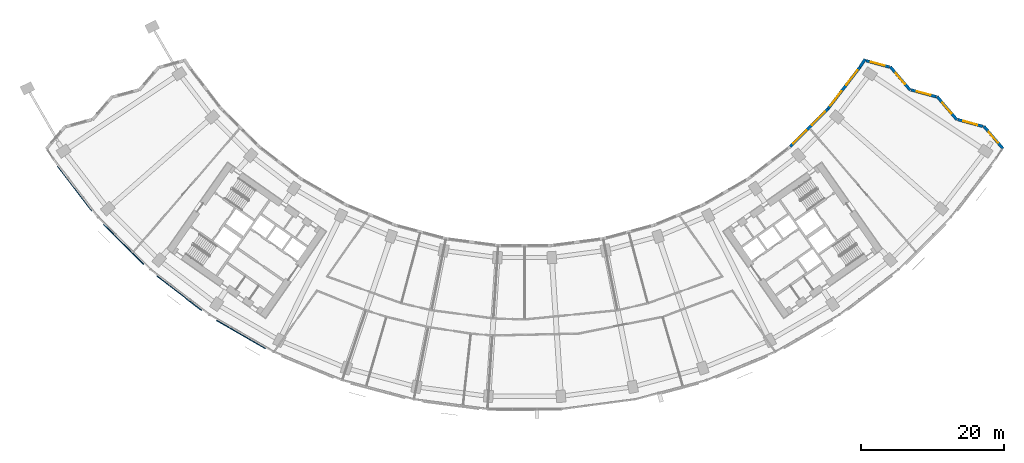
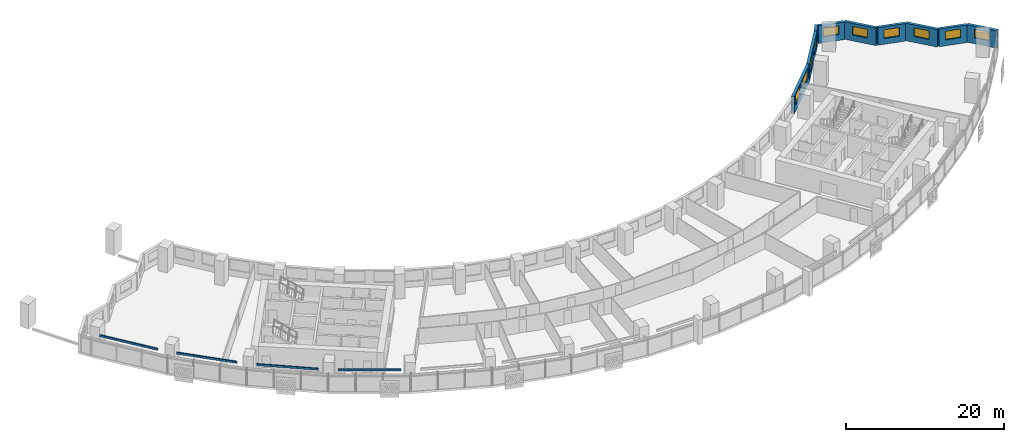
# One storey, part 8 of 29: 10 windows, 9 walls, 4 discrete accessories, 10 openings.
"""IFC4 building model written with IfcOpenShell, lengths in metres."""

from ifc_helpers import new_model, si_unit, direction, frame, frame_2d, origin, origin_2d, place, context, subcontext, project, spatial, rectangle, extrude, material, layer, layer_set, type_object, element, fill, save


model = new_model("IFC4")

# Units and contexts
model_context = context("Model", 3, precision=1e-05, world=origin(), true_north=direction((0.0, 1.0)))
body_context = subcontext(model_context, "Body", "Model", "MODEL_VIEW")
ifc_project = project(units=[si_unit("LENGTHUNIT", "METRE"), si_unit("AREAUNIT", "SQUARE_METRE"), si_unit("VOLUMEUNIT", "CUBIC_METRE"), si_unit("PLANEANGLEUNIT", "RADIAN"), si_unit("MASSUNIT", "GRAM", prefix="KILO")], contexts=[model_context])

# Site, building, storey
site_placement = place(None, origin())
site = spatial("IfcSite", under=ifc_project, at=site_placement, CompositionType="ELEMENT")
building_placement = place(site_placement, origin())
building = spatial("IfcBuilding", under=site, at=building_placement, Name="Qamariyya Broadcast Tower", CompositionType="ELEMENT")
storey_placement = place(building_placement, frame((0.0, 0.0, 44.300048828125)))
storey = spatial("IfcBuildingStorey", under=building, at=storey_placement, Name="L07", CompositionType="ELEMENT", Elevation=44.300048828125)

# Wall, opening, window
ifc_material_1 = material(Name="Terracotta", Category="masonry")
ifc_layer = layer(ifc_material_1, 0.39990234375)
ifc_layer_set = layer_set([ifc_layer], Name="Terracotta clad wall 400")
wall_type = type_object("IfcWallType", Name="Terracotta clad wall 400", PredefinedType="SOLIDWALL", material=ifc_layer_set)
wall_1_placement = place(storey_placement, frame((67.080810546875, -42.8359375, 0.0), z_axis=(0.0, 0.0, 1.0), x_axis=(-0.648720679067, 0.76102659648, 0.0)))
wall_1 = element("IfcWall", 1, at=wall_1_placement, inside=storey, type_object=wall_type, Name="e-wl-L07-capE0", PredefinedType="SOLIDWALL", context=body_context, shape_type="SweptSolid", body=[
    extrude(rectangle(XDim=4.12158203125, YDim=0.39990234375, at=frame_2d((2.060791015625, 0.0))), origin(), (0.0, 0.0, 1.0), 2.699951171875),
])
opening_1_placement = place(wall_1_placement, frame((1.060791015625, 0.0, 0.89990234375)))
opening_1 = element("IfcOpeningElement", 2, at=opening_1_placement, cuts=wall_1, Name="Opening W4", PredefinedType="OPENING", context=body_context, shape_type="SweptSolid", body=[
    extrude(rectangle(XDim=2.0, YDim=1.35009765625, at=frame_2d((1.0, 0.675048828125))), frame((0.0, 0.2099609375, 0.0), z_axis=(0.0, -1.0, 0.0), x_axis=(1.0, 0.0, 0.0)), (0.0, 0.0, 1.0), 0.419921875),
])
ifc_material_2 = material(Name="Clear low-e double glazed unit in aluminium frame", Category="aluminium")
window_type_1 = type_object("IfcWindowType", Name="Horn bay window 2000 x 1350", PartitioningType="SINGLE_PANEL", PredefinedType="WINDOW", material=ifc_material_2)
window_1_placement = place(opening_1_placement, origin())
window_1 = element("IfcWindow", 3, at=window_1_placement, inside=storey, type_object=window_type_1, Name="e-w-L07-capE0", OverallHeight=1.35009765625, OverallWidth=2.0, PartitioningType="SINGLE_PANEL", PredefinedType="WINDOW", context=body_context, shape_type="SweptSolid", body=[
    extrude(rectangle(XDim=2.0, YDim=1.35009765625, at=frame_2d((1.0, 0.675048828125))), frame((0.0, 0.030029296875, 0.0), z_axis=(0.0, -1.0, 0.0), x_axis=(1.0, 0.0, 0.0)), (0.0, 0.0, 1.0), 0.06005859375),
])
fill(opening_1, window_1)

wall_2_placement = place(storey_placement, frame((64.2822265625, -39.7294921875, 0.0), z_axis=(0.0, 0.0, 1.0), x_axis=(-0.96497196799, 0.262353008355, 0.0)))
wall_2 = element("IfcWall", 4, at=wall_2_placement, inside=storey, type_object=wall_type, Name="e-wl-L07-capE1", PredefinedType="SOLIDWALL", context=body_context, shape_type="SweptSolid", body=[
    extrude(rectangle(XDim=3.64892578125, YDim=0.39990234375, at=frame_2d((1.824462890625, 0.0))), origin(), (0.0, 0.0, 1.0), 2.699951171875),
])
opening_2_placement = place(wall_2_placement, frame((0.824462890625, 0.0, 0.89990234375)))
opening_2 = element("IfcOpeningElement", 5, at=opening_2_placement, cuts=wall_2, Name="Opening W4", PredefinedType="OPENING", context=body_context, shape_type="SweptSolid", body=[
    extrude(rectangle(XDim=2.0, YDim=1.35009765625, at=frame_2d((1.0, 0.675048828125))), frame((0.0, 0.2099609375, 0.0), z_axis=(0.0, -1.0, 0.0), x_axis=(1.0, 0.0, 0.0)), (0.0, 0.0, 1.0), 0.419921875),
])
window_2_placement = place(opening_2_placement, origin())
window_2 = element("IfcWindow", 6, at=window_2_placement, inside=storey, type_object=window_type_1, Name="e-w-L07-capE1", OverallHeight=1.35009765625, OverallWidth=2.0, PartitioningType="SINGLE_PANEL", PredefinedType="WINDOW", context=body_context, shape_type="SweptSolid", body=[
    extrude(rectangle(XDim=2.0, YDim=1.35009765625, at=frame_2d((1.0, 0.675048828125))), frame((0.0, 0.030029296875, 0.0), z_axis=(0.0, -1.0, 0.0), x_axis=(1.0, 0.0, 0.0)), (0.0, 0.0, 1.0), 0.06005859375),
])
fill(opening_2, window_2)

wall_3_placement = place(storey_placement, frame((60.636474609375, -38.802490234375, 0.0), z_axis=(0.0, 0.0, 1.0), x_axis=(-0.648766559736, 0.760987484107, 0.0)))
wall_3 = element("IfcWall", 7, at=wall_3_placement, inside=storey, type_object=wall_type, Name="e-wl-L07-capE2", PredefinedType="SOLIDWALL", context=body_context, shape_type="SweptSolid", body=[
    extrude(rectangle(XDim=4.29443359375, YDim=0.39990234375, at=frame_2d((2.147216796875, 0.0))), origin(), (0.0, 0.0, 1.0), 2.699951171875),
])
opening_3_placement = place(wall_3_placement, frame((1.147216796875, 0.0, 0.89990234375)))
opening_3 = element("IfcOpeningElement", 8, at=opening_3_placement, cuts=wall_3, Name="Opening W4", PredefinedType="OPENING", context=body_context, shape_type="SweptSolid", body=[
    extrude(rectangle(XDim=2.0, YDim=1.35009765625, at=frame_2d((1.0, 0.675048828125))), frame((0.0, 0.2099609375, 0.0), z_axis=(0.0, -1.0, 0.0), x_axis=(1.0, 0.0, 0.0)), (0.0, 0.0, 1.0), 0.419921875),
])
window_3_placement = place(opening_3_placement, origin())
window_3 = element("IfcWindow", 9, at=window_3_placement, inside=storey, type_object=window_type_1, Name="e-w-L07-capE2", OverallHeight=1.35009765625, OverallWidth=2.0, PartitioningType="SINGLE_PANEL", PredefinedType="WINDOW", context=body_context, shape_type="SweptSolid", body=[
    extrude(rectangle(XDim=2.0, YDim=1.35009765625, at=frame_2d((1.0, 0.675048828125))), frame((0.0, 0.030029296875, 0.0), z_axis=(0.0, -1.0, 0.0), x_axis=(1.0, 0.0, 0.0)), (0.0, 0.0, 1.0), 0.06005859375),
])
fill(opening_3, window_3)

wall_4_placement = place(storey_placement, frame((57.725341796875, -35.564697265625, 0.0), z_axis=(0.0, 0.0, 1.0), x_axis=(-0.964982822541, 0.262313080498, 0.0)))
wall_4 = element("IfcWall", 10, at=wall_4_placement, inside=storey, type_object=wall_type, Name="e-wl-L07-capE3", PredefinedType="SOLIDWALL", context=body_context, shape_type="SweptSolid", body=[
    extrude(rectangle(XDim=3.6474609375, YDim=0.39990234375, at=frame_2d((1.82373046875, 0.0))), origin(), (0.0, 0.0, 1.0), 2.699951171875),
])
opening_4_placement = place(wall_4_placement, frame((0.82373046875, 0.0, 0.89990234375)))
opening_4 = element("IfcOpeningElement", 11, at=opening_4_placement, cuts=wall_4, Name="Opening W4", PredefinedType="OPENING", context=body_context, shape_type="SweptSolid", body=[
    extrude(rectangle(XDim=2.0, YDim=1.35009765625, at=frame_2d((1.0, 0.675048828125))), frame((0.0, 0.2099609375, 0.0), z_axis=(0.0, -1.0, 0.0), x_axis=(1.0, 0.0, 0.0)), (0.0, 0.0, 1.0), 0.419921875),
])
window_4_placement = place(opening_4_placement, origin())
window_4 = element("IfcWindow", 12, at=window_4_placement, inside=storey, type_object=window_type_1, Name="e-w-L07-capE3", OverallHeight=1.35009765625, OverallWidth=2.0, PartitioningType="SINGLE_PANEL", PredefinedType="WINDOW", context=body_context, shape_type="SweptSolid", body=[
    extrude(rectangle(XDim=2.0, YDim=1.35009765625, at=frame_2d((1.0, 0.675048828125))), frame((0.0, 0.030029296875, 0.0), z_axis=(0.0, -1.0, 0.0), x_axis=(1.0, 0.0, 0.0)), (0.0, 0.0, 1.0), 0.06005859375),
])
fill(opening_4, window_4)

wall_5_placement = place(storey_placement, frame((54.08056640625, -34.63818359375, 0.0), z_axis=(0.0, 0.0, 1.0), x_axis=(-0.648846938805, 0.760918951008, 0.0)))
wall_5 = element("IfcWall", 13, at=wall_5_placement, inside=storey, type_object=wall_type, Name="e-wl-L07-capE4", PredefinedType="SOLIDWALL", context=body_context, shape_type="SweptSolid", body=[
    extrude(rectangle(XDim=4.2958984375, YDim=0.39990234375, at=frame_2d((2.14794921875, 0.0))), origin(), (0.0, 0.0, 1.0), 2.699951171875),
])
opening_5_placement = place(wall_5_placement, frame((1.14794921875, 0.0, 0.89990234375)))
opening_5 = element("IfcOpeningElement", 14, at=opening_5_placement, cuts=wall_5, Name="Opening W4", PredefinedType="OPENING", context=body_context, shape_type="SweptSolid", body=[
    extrude(rectangle(XDim=2.0, YDim=1.35009765625, at=frame_2d((1.0, 0.675048828125))), frame((0.0, 0.2099609375, 0.0), z_axis=(0.0, -1.0, 0.0), x_axis=(1.0, 0.0, 0.0)), (0.0, 0.0, 1.0), 0.419921875),
])
window_5_placement = place(opening_5_placement, origin())
window_5 = element("IfcWindow", 15, at=window_5_placement, inside=storey, type_object=window_type_1, Name="e-w-L07-capE4", OverallHeight=1.35009765625, OverallWidth=2.0, PartitioningType="SINGLE_PANEL", PredefinedType="WINDOW", context=body_context, shape_type="SweptSolid", body=[
    extrude(rectangle(XDim=2.0, YDim=1.35009765625, at=frame_2d((1.0, 0.675048828125))), frame((0.0, 0.030029296875, 0.0), z_axis=(0.0, -1.0, 0.0), x_axis=(1.0, 0.0, 0.0)), (0.0, 0.0, 1.0), 0.06005859375),
])
fill(opening_5, window_5)

wall_6_placement = place(storey_placement, frame((51.16845703125, -31.39990234375, 0.0), z_axis=(0.0, 0.0, 1.0), x_axis=(-0.964994192301, 0.262271250475, 0.0)))
wall_6 = element("IfcWall", 16, at=wall_6_placement, inside=storey, type_object=wall_type, Name="e-wl-L07-capE5", PredefinedType="SOLIDWALL", context=body_context, shape_type="SweptSolid", body=[
    extrude(rectangle(XDim=3.39404296875, YDim=0.39990234375, at=frame_2d((1.697021484375, 0.0))), origin(), (0.0, 0.0, 1.0), 2.699951171875),
])
opening_6_placement = place(wall_6_placement, frame((0.697021484375, 0.0, 0.89990234375)))
opening_6 = element("IfcOpeningElement", 17, at=opening_6_placement, cuts=wall_6, Name="Opening W4", PredefinedType="OPENING", context=body_context, shape_type="SweptSolid", body=[
    extrude(rectangle(XDim=2.0, YDim=1.35009765625, at=frame_2d((1.0, 0.675048828125))), frame((0.0, 0.2099609375, 0.0), z_axis=(0.0, -1.0, 0.0), x_axis=(1.0, 0.0, 0.0)), (0.0, 0.0, 1.0), 0.419921875),
])
window_6_placement = place(opening_6_placement, origin())
window_6 = element("IfcWindow", 18, at=window_6_placement, inside=storey, type_object=window_type_1, Name="e-w-L07-capE5", OverallHeight=1.35009765625, OverallWidth=2.0, PartitioningType="SINGLE_PANEL", PredefinedType="WINDOW", context=body_context, shape_type="SweptSolid", body=[
    extrude(rectangle(XDim=2.0, YDim=1.35009765625, at=frame_2d((1.0, 0.675048828125))), frame((0.0, 0.030029296875, 0.0), z_axis=(0.0, -1.0, 0.0), x_axis=(1.0, 0.0, 0.0)), (0.0, 0.0, 1.0), 0.06005859375),
])
fill(opening_6, window_6)

# Wall, openings, windows
wall_7_placement = place(storey_placement, frame((42.534423828125, -37.2685546875, 0.0), z_axis=(0.0, 0.0, 1.0), x_axis=(-0.707106781187, -0.707106781187, 0.0)))
wall_7 = element("IfcWall", 19, at=wall_7_placement, inside=storey, type_object=wall_type, Name="e-wl-L07-in140", PredefinedType="SOLIDWALL", context=body_context, shape_type="SweptSolid", body=[
    extrude(rectangle(XDim=7.447021484375, YDim=0.39990234375, at=frame_2d((3.7236328125, 0.0))), origin(), (0.0, 0.0, 1.0), 2.699951171875),
])
opening_7_placement = place(wall_7_placement, frame((4.266357421875, 0.0, 0.89990234375)))
opening_7 = element("IfcOpeningElement", 20, at=opening_7_placement, cuts=wall_7, Name="Opening W1", PredefinedType="OPENING", context=body_context, shape_type="SweptSolid", body=[
    extrude(rectangle(XDim=2.60009765625, YDim=1.64990234375, at=frame_2d((1.300048828125, 0.824951171875))), frame((0.0, 0.2099609375, 0.0), z_axis=(0.0, -1.0, 0.0), x_axis=(1.0, 0.0, 0.0)), (0.0, 0.0, 1.0), 0.419921875),
])
opening_8_placement = place(wall_7_placement, frame((0.580810546875, 0.0, 0.89990234375)))
opening_8 = element("IfcOpeningElement", 21, at=opening_8_placement, cuts=wall_7, Name="Opening W1", PredefinedType="OPENING", context=body_context, shape_type="SweptSolid", body=[
    extrude(rectangle(XDim=2.60009765625, YDim=1.64990234375, at=frame_2d((1.300048828125, 0.824951171875))), frame((0.0, 0.2099609375, 0.0), z_axis=(0.0, -1.0, 0.0), x_axis=(1.0, 0.0, 0.0)), (0.0, 0.0, 1.0), 0.419921875),
])
window_type_2 = type_object("IfcWindowType", Name="Ribbon window 2600 x 1650", PartitioningType="SINGLE_PANEL", PredefinedType="WINDOW", material=ifc_material_2)
window_7_placement = place(opening_7_placement, origin())
window_7 = element("IfcWindow", 22, at=window_7_placement, inside=storey, type_object=window_type_2, Name="e-w-L07-in14-0", OverallHeight=1.64990234375, OverallWidth=2.60009765625, PartitioningType="SINGLE_PANEL", PredefinedType="WINDOW", context=body_context, shape_type="SweptSolid", body=[
    extrude(rectangle(XDim=2.60009765625, YDim=1.64990234375, at=frame_2d((1.300048828125, 0.824951171875))), frame((0.0, 0.030029296875, 0.0), z_axis=(0.0, -1.0, 0.0), x_axis=(1.0, 0.0, 0.0)), (0.0, 0.0, 1.0), 0.06005859375),
])
fill(opening_7, window_7)
window_8_placement = place(opening_8_placement, origin())
window_8 = element("IfcWindow", 23, at=window_8_placement, inside=storey, type_object=window_type_2, Name="e-w-L07-in14-1", OverallHeight=1.64990234375, OverallWidth=2.60009765625, PartitioningType="SINGLE_PANEL", PredefinedType="WINDOW", context=body_context, shape_type="SweptSolid", body=[
    extrude(rectangle(XDim=2.60009765625, YDim=1.64990234375, at=frame_2d((1.300048828125, 0.824951171875))), frame((0.0, 0.030029296875, 0.0), z_axis=(0.0, -1.0, 0.0), x_axis=(1.0, 0.0, 0.0)), (0.0, 0.0, 1.0), 0.06005859375),
])
fill(opening_8, window_8)

wall_8_placement = place(storey_placement, frame((46.998291015625, -31.446044921875, 0.0), z_axis=(0.0, 0.0, 1.0), x_axis=(-0.608753289302, -0.793359586041, 0.0)))
wall_8 = element("IfcWall", 24, at=wall_8_placement, inside=storey, type_object=wall_type, Name="e-wl-L07-in150", PredefinedType="SOLIDWALL", context=body_context, shape_type="SweptSolid", body=[
    extrude(rectangle(XDim=7.310791015625, YDim=0.39990234375, at=frame_2d((3.6552734375, 0.0))), origin(), (0.0, 0.0, 1.0), 2.699951171875),
])
opening_9_placement = place(wall_8_placement, frame((4.20556640625, 0.0, 0.89990234375)))
opening_9 = element("IfcOpeningElement", 25, at=opening_9_placement, cuts=wall_8, Name="Opening W1", PredefinedType="OPENING", context=body_context, shape_type="SweptSolid", body=[
    extrude(rectangle(XDim=2.60009765625, YDim=1.64990234375, at=frame_2d((1.300048828125, 0.824951171875))), frame((0.0, 0.2099609375, 0.0), z_axis=(0.0, -1.0, 0.0), x_axis=(1.0, 0.0, 0.0)), (0.0, 0.0, 1.0), 0.419921875),
])
opening_10_placement = place(wall_8_placement, frame((0.520263671875, 0.0, 0.89990234375)))
opening_10 = element("IfcOpeningElement", 26, at=opening_10_placement, cuts=wall_8, Name="Opening W1", PredefinedType="OPENING", context=body_context, shape_type="SweptSolid", body=[
    extrude(rectangle(XDim=2.60009765625, YDim=1.64990234375, at=frame_2d((1.300048828125, 0.824951171875))), frame((0.0, 0.2099609375, 0.0), z_axis=(0.0, -1.0, 0.0), x_axis=(1.0, 0.0, 0.0)), (0.0, 0.0, 1.0), 0.419921875),
])
window_9_placement = place(opening_9_placement, origin())
window_9 = element("IfcWindow", 27, at=window_9_placement, inside=storey, type_object=window_type_2, Name="e-w-L07-in15-0", OverallHeight=1.64990234375, OverallWidth=2.60009765625, PartitioningType="SINGLE_PANEL", PredefinedType="WINDOW", context=body_context, shape_type="SweptSolid", body=[
    extrude(rectangle(XDim=2.60009765625, YDim=1.64990234375, at=frame_2d((1.300048828125, 0.824951171875))), frame((0.0, 0.030029296875, 0.0), z_axis=(0.0, -1.0, 0.0), x_axis=(1.0, 0.0, 0.0)), (0.0, 0.0, 1.0), 0.06005859375),
])
fill(opening_9, window_9)
window_10_placement = place(opening_10_placement, origin())
window_10 = element("IfcWindow", 28, at=window_10_placement, inside=storey, type_object=window_type_2, Name="e-w-L07-in15-1", OverallHeight=1.64990234375, OverallWidth=2.60009765625, PartitioningType="SINGLE_PANEL", PredefinedType="WINDOW", context=body_context, shape_type="SweptSolid", body=[
    extrude(rectangle(XDim=2.60009765625, YDim=1.64990234375, at=frame_2d((1.300048828125, 0.824951171875))), frame((0.0, 0.030029296875, 0.0), z_axis=(0.0, -1.0, 0.0), x_axis=(1.0, 0.0, 0.0)), (0.0, 0.0, 1.0), 0.06005859375),
])
fill(opening_10, window_10)

# Wall
wall_9_placement = place(storey_placement, frame((47.75732421875, -30.285400390625, 0.0), z_axis=(0.0, 0.0, 1.0), x_axis=(-0.545920235879, -0.837837153663, 0.0)))
element("IfcWall", 29, at=wall_9_placement, inside=storey, type_object=wall_type, Name="e-wl-L07-in160", PredefinedType="SOLIDWALL", context=body_context, shape_type="SweptSolid", body=[
    extrude(rectangle(XDim=1.37158203125, YDim=0.39990234375, at=frame_2d((0.685791015625, 0.0))), origin(), (0.0, 0.0, 1.0), 2.699951171875),
])

# Discrete accessories
ifc_material_3 = material(Name="Stainless steel 316", Category="steel")
discrete_accessory_type = type_object("IfcDiscreteAccessoryType", Name="Slab edge fixing angle, stainless steel", PredefinedType="BRACKET", material=ifc_material_3)
for number, where, z_axis, x_axis, name in (
    (30, (-63.11474609375, -48.4296875, 3.2998046875), (0.0, 0.0, 1.0), (0.608761429009, -0.793353340291, 0.0), "e-br-L07-01-0"),
    (31, (-56.25341796875, -56.25341796875, 3.2998046875), (0.0, 0.0, 1.0), (0.707106781187, -0.707106781187, 0.0), "e-br-L07-02-0"),
    (32, (-48.4296875, -63.11474609375, 3.2998046875), (0.0, 0.0, 1.0), (0.793353340291, -0.608761429009, 0.0), "e-br-L07-03-0"),
    (33, (-39.77734375, -68.896240234375, 3.2998046875), (0.0, 0.0, 1.0), (0.866025403784, -0.5, 0.0), "e-br-L07-04-0"),
):
    element("IfcDiscreteAccessory", number, at=place(storey_placement, frame(where, z_axis=z_axis, x_axis=x_axis)), inside=storey, type_object=discrete_accessory_type, Name=name, PredefinedType="BRACKET", context=body_context, shape_type="SweptSolid", body=[
        extrude(rectangle(XDim=7.9140625, YDim=0.14990234375, at=origin_2d()), origin(), (0.0, 0.0, 1.0), 0.300048828125),
    ])

save(model, "model.ifc")
